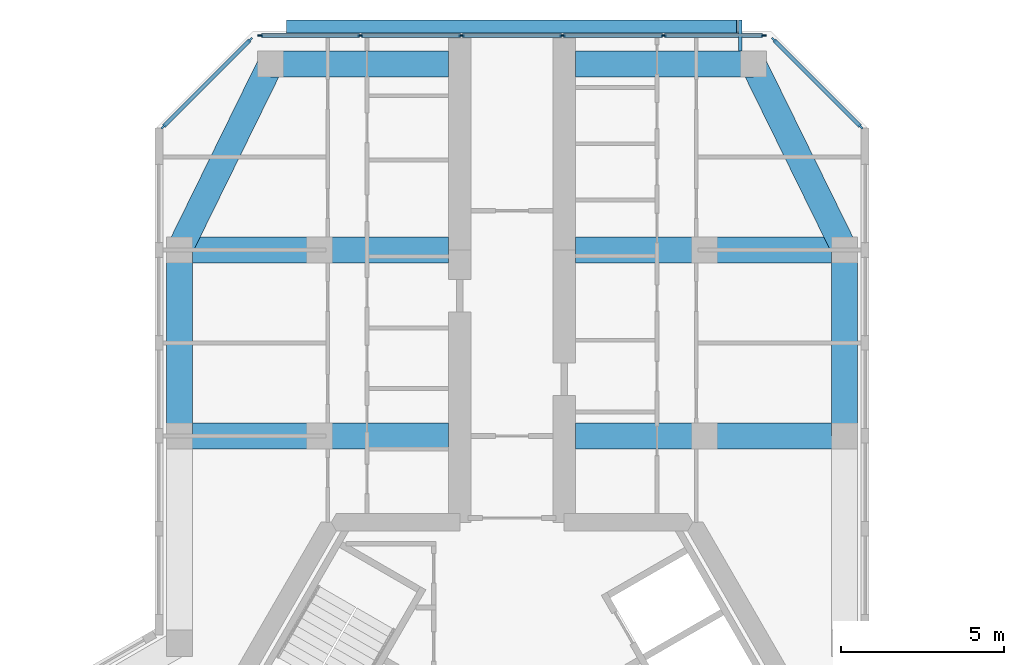
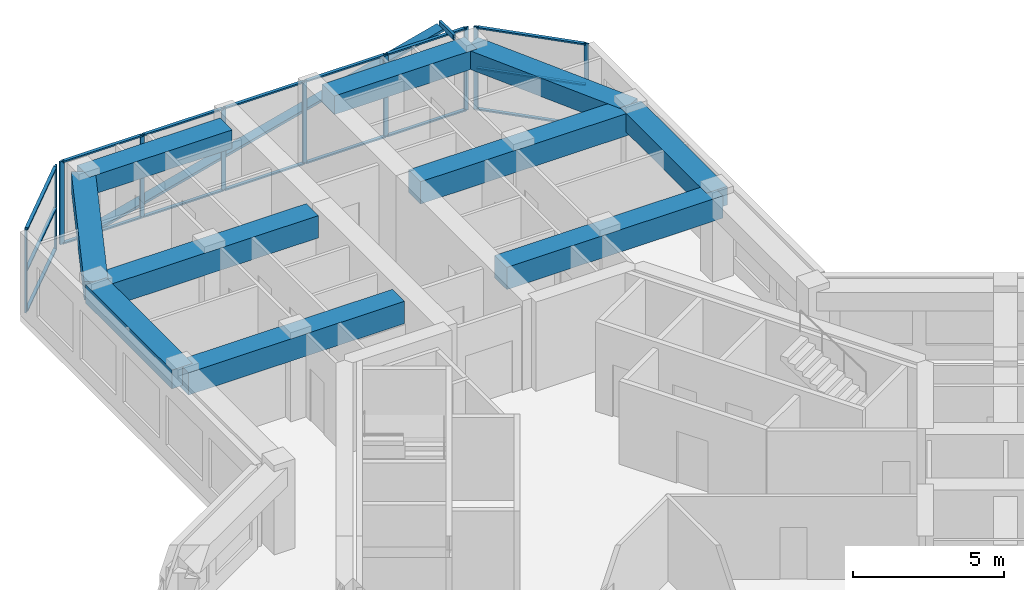
# One storey, part 5 of 14: 28 members, 10 beams, 3 elements without a shape of their own.
"""IFC4 building model written with IfcOpenShell, lengths in metres."""

from ifc_helpers import new_model, si_unit, direction, frame, origin, origin_2d, place, context, subcontext, project, spatial, rectangle, hollow_rectangle, extrude, material, material_profile, profile_set, type_object, element, aggregate, save


model = new_model("IFC4")

# Units and contexts
model_context = context("Model", 3, precision=1e-05, world=origin(), true_north=direction((0.0, 1.0)))
body_context = subcontext(model_context, "Body", "Model", "MODEL_VIEW")
ifc_project = project(units=[si_unit("LENGTHUNIT", "METRE"), si_unit("AREAUNIT", "SQUARE_METRE"), si_unit("VOLUMEUNIT", "CUBIC_METRE"), si_unit("PLANEANGLEUNIT", "RADIAN"), si_unit("MASSUNIT", "GRAM", prefix="KILO")], contexts=[model_context])

# Site, building, storey
site_placement = place(None, origin())
site = spatial("IfcSite", under=ifc_project, at=site_placement, CompositionType="ELEMENT")
building_placement = place(site_placement, origin())
building = spatial("IfcBuilding", under=site, at=building_placement, Name="Kosmar Iwan School Tower", CompositionType="ELEMENT")
storey_placement = place(building_placement, frame((0.0, 0.0, 267.39990234375)))
storey = spatial("IfcBuildingStorey", under=building, at=storey_placement, Name="L67", CompositionType="ELEMENT", Elevation=267.39990234375)

# Members
ifc_material_1 = material(Name="Black anodised aluminium", Category="aluminium")
ifc_material_profile_1 = material_profile(ifc_material_1, rectangle(XDim=0.10009765625, YDim=0.39990234375, at=origin_2d()), Name="FIN 100x400")
ifc_profile_set_1 = profile_set([ifc_material_profile_1], Name="Black anodised aluminium")
member_type_1 = type_object("IfcMemberType", Name="Diagonal fin 100x400", PredefinedType="USERDEFINED", material=ifc_profile_set_1)
member_1_placement = place(storey_placement, frame((-6.898193359375, 24.800048828125, -0.14990234375), z_axis=(0.967599450335, 0.0, 0.252490205179), x_axis=(-0.252490205179, 0.0, 0.967599450335)))
element("IfcMember", 1, at=member_1_placement, inside=storey, type_object=member_type_1, Name="Diagonal fin L67-F08", ObjectType="FIN", PredefinedType="USERDEFINED", context=body_context, shape_type="SweptSolid", body=[
    extrude(rectangle(XDim=0.10009765625, YDim=0.39990234375, at=origin_2d()), origin(), (0.0, 0.0, 1.0), 14.25830078125),
])
ifc_material_2 = material(Name="Steel S355", Category="steel")
ifc_material_profile_2 = material_profile(ifc_material_2, hollow_rectangle(XDim=0.10009765625, YDim=0.199951171875, WallThickness=0.008056640625, at=origin_2d()), Name="RHS 200x100x8")
ifc_profile_set_2 = profile_set([ifc_material_profile_2], Name="Steel S355")
member_type_2 = type_object("IfcMemberType", Name="Fin bracket RHS 200x100", PredefinedType="USERDEFINED", material=ifc_profile_set_2)
member_2_placement = place(storey_placement, frame((7.0, 24.050048828125, 3.47509765625), z_axis=(0.0, 1.0, 0.0), x_axis=(-1.0, 0.0, 0.0)))
element("IfcMember", 2, at=member_2_placement, inside=storey, type_object=member_type_2, Name="Fin bracket L68", ObjectType="FIN BRACKET", PredefinedType="USERDEFINED", context=body_context, shape_type="SweptSolid", body=[
    extrude(hollow_rectangle(XDim=0.10009765625, YDim=0.199951171875, WallThickness=0.008056640625, at=origin_2d()), origin(), (0.0, 0.0, 1.0), 0.949951171875),
])

# Curtain wall, members
ifc_material_3 = material(Name="Dark glass in black aluminium frame", Category="aluminium")
curtain_wall_type_1 = type_object("IfcCurtainWallType", Name="Chamfer curtain wall dark glass", PredefinedType="USERDEFINED", material=ifc_material_3)
curtain_wall_1_placement = place(storey_placement, origin())
curtain_wall_1 = element("IfcCurtainWall", 3, at=curtain_wall_1_placement, inside=storey, type_object=curtain_wall_type_1, Name="Curtain wall L67-F07", ObjectType="FACETED CURTAIN WALL", PredefinedType="USERDEFINED")
ifc_material_4 = material(Name="Black anodised aluminium", Category="aluminium")
ifc_material_profile_3 = material_profile(ifc_material_4, rectangle(XDim=0.06005859375, YDim=0.159912109375, at=origin_2d()), Name="MULLION 60x160")
ifc_profile_set_3 = profile_set([ifc_material_profile_3], Name="Black anodised aluminium")
member_type_3 = type_object("IfcMemberType", Name="Mullion 60x160", PredefinedType="MULLION", material=ifc_profile_set_3)
member_3_placement = place(storey_placement, frame((10.69775390625, 21.7255859375, 0.0), z_axis=(0.0, 0.0, 1.0), x_axis=(-0.707106781187, -0.707106781187, 0.0)))
member_3 = element("IfcMember", 4, at=member_3_placement, type_object=member_type_3, Name="CW2 mullion 1", PredefinedType="MULLION", context=body_context, shape_type="SweptSolid", body=[
    extrude(rectangle(XDim=0.06005859375, YDim=0.159912109375, at=origin_2d()), origin(), (0.0, 0.0, 1.0), 3.35009765625),
])
member_4_placement = place(storey_placement, frame((8.025390625, 24.397705078125, 0.0), z_axis=(0.0, 0.0, 1.0), x_axis=(-0.707106781187, -0.707106781187, 0.0)))
member_4 = element("IfcMember", 5, at=member_4_placement, type_object=member_type_3, Name="CW2 mullion 2", PredefinedType="MULLION", context=body_context, shape_type="SweptSolid", body=[
    extrude(rectangle(XDim=0.06005859375, YDim=0.159912109375, at=origin_2d()), origin(), (0.0, 0.0, 1.0), 3.35009765625),
])

ifc_material_5 = material(Name="Dark glass in black aluminium frame", Category="aluminium")
curtain_wall_type_2 = type_object("IfcCurtainWallType", Name="Tower curtain wall dark glass", PredefinedType="USERDEFINED", material=ifc_material_5)
curtain_wall_2_placement = place(storey_placement, origin())
curtain_wall_2 = element("IfcCurtainWall", 6, at=curtain_wall_2_placement, inside=storey, type_object=curtain_wall_type_2, Name="Curtain wall L67-F08", ObjectType="UNITISED CURTAIN WALL", PredefinedType="USERDEFINED")
member_5_placement = place(storey_placement, frame((7.71826171875, 24.52490234375, 0.0), z_axis=(0.0, 0.0, 1.0), x_axis=(0.0, -1.0, 0.0)))
member_5 = element("IfcMember", 7, at=member_5_placement, type_object=member_type_3, Name="CW1 mullion 1", PredefinedType="MULLION", context=body_context, shape_type="SweptSolid", body=[
    extrude(rectangle(XDim=0.06005859375, YDim=0.159912109375, at=origin_2d()), origin(), (0.0, 0.0, 1.0), 3.35009765625),
])
member_6_placement = place(storey_placement, frame((4.64892578125, 24.52490234375, 0.0), z_axis=(0.0, 0.0, 1.0), x_axis=(0.0, -1.0, 0.0)))
member_6 = element("IfcMember", 8, at=member_6_placement, type_object=member_type_3, Name="CW1 mullion 2", PredefinedType="MULLION", context=body_context, shape_type="SweptSolid", body=[
    extrude(rectangle(XDim=0.06005859375, YDim=0.159912109375, at=origin_2d()), origin(), (0.0, 0.0, 1.0), 3.35009765625),
])
member_7_placement = place(storey_placement, frame((1.549560546875, 24.52490234375, 0.0), z_axis=(0.0, 0.0, 1.0), x_axis=(0.0, -1.0, 0.0)))
member_7 = element("IfcMember", 9, at=member_7_placement, type_object=member_type_3, Name="CW1 mullion 3", PredefinedType="MULLION", context=body_context, shape_type="SweptSolid", body=[
    extrude(rectangle(XDim=0.06005859375, YDim=0.159912109375, at=origin_2d()), origin(), (0.0, 0.0, 1.0), 3.35009765625),
])
member_8_placement = place(storey_placement, frame((-1.549560546875, 24.52490234375, 0.0), z_axis=(0.0, 0.0, 1.0), x_axis=(0.0, -1.0, 0.0)))
member_8 = element("IfcMember", 10, at=member_8_placement, type_object=member_type_3, Name="CW1 mullion 4", PredefinedType="MULLION", context=body_context, shape_type="SweptSolid", body=[
    extrude(rectangle(XDim=0.06005859375, YDim=0.159912109375, at=origin_2d()), origin(), (0.0, 0.0, 1.0), 3.35009765625),
])
member_9_placement = place(storey_placement, frame((-4.64892578125, 24.52490234375, 0.0), z_axis=(0.0, 0.0, 1.0), x_axis=(0.0, -1.0, 0.0)))
member_9 = element("IfcMember", 11, at=member_9_placement, type_object=member_type_3, Name="CW1 mullion 5", PredefinedType="MULLION", context=body_context, shape_type="SweptSolid", body=[
    extrude(rectangle(XDim=0.06005859375, YDim=0.159912109375, at=origin_2d()), origin(), (0.0, 0.0, 1.0), 3.35009765625),
])
member_10_placement = place(storey_placement, frame((-7.71826171875, 24.52490234375, 0.0), z_axis=(0.0, 0.0, 1.0), x_axis=(0.0, -1.0, 0.0)))
member_10 = element("IfcMember", 12, at=member_10_placement, type_object=member_type_3, Name="CW1 mullion 6", PredefinedType="MULLION", context=body_context, shape_type="SweptSolid", body=[
    extrude(rectangle(XDim=0.06005859375, YDim=0.159912109375, at=origin_2d()), origin(), (0.0, 0.0, 1.0), 3.35009765625),
])

curtain_wall_3_placement = place(storey_placement, origin())
curtain_wall_3 = element("IfcCurtainWall", 13, at=curtain_wall_3_placement, inside=storey, type_object=curtain_wall_type_1, Name="Curtain wall L67-F09", ObjectType="FACETED CURTAIN WALL", PredefinedType="USERDEFINED")
member_11_placement = place(storey_placement, frame((-8.025390625, 24.397705078125, 0.0), z_axis=(0.0, 0.0, 1.0), x_axis=(0.707106781187, -0.707106781187, 0.0)))
member_11 = element("IfcMember", 14, at=member_11_placement, type_object=member_type_3, Name="CW2 mullion 1", PredefinedType="MULLION", context=body_context, shape_type="SweptSolid", body=[
    extrude(rectangle(XDim=0.06005859375, YDim=0.159912109375, at=origin_2d()), origin(), (0.0, 0.0, 1.0), 3.35009765625),
])
member_12_placement = place(storey_placement, frame((-10.69775390625, 21.7255859375, 0.0), z_axis=(0.0, 0.0, 1.0), x_axis=(0.707106781187, -0.707106781187, 0.0)))
member_12 = element("IfcMember", 15, at=member_12_placement, type_object=member_type_3, Name="CW2 mullion 2", PredefinedType="MULLION", context=body_context, shape_type="SweptSolid", body=[
    extrude(rectangle(XDim=0.06005859375, YDim=0.159912109375, at=origin_2d()), origin(), (0.0, 0.0, 1.0), 3.35009765625),
])

# Beams
ifc_material_6 = material(Name="Concrete C50/60", Category="concrete")
ifc_material_profile_4 = material_profile(ifc_material_6, rectangle(XDim=0.800048828125, YDim=0.75, at=origin_2d()), Name="RC 800x750")
ifc_profile_set_4 = profile_set([ifc_material_profile_4], Name="Concrete C50/60")
beam_type_1 = type_object("IfcBeamType", Name="RC edge beam 800x750", PredefinedType="BEAM", material=ifc_profile_set_4)
for number, where, z_axis, x_axis, name in (
    (16, (-10.199951171875, 12.25, 2.97509765625), (0.0, 1.0, 0.0), (-1.0, 0.0, 0.0), "Edge beam AL2"),
    (17, (10.199951171875, 12.25, 2.97509765625), (0.0, 1.0, 0.0), (-1.0, 0.0, 0.0), "Edge beam AR2"),
):
    element("IfcBeam", number, at=place(storey_placement, frame(where, z_axis=z_axis, x_axis=x_axis)), inside=storey, type_object=beam_type_1, Name=name, PredefinedType="BEAM", context=body_context, shape_type="SweptSolid", body=[
        extrude(rectangle(XDim=0.800048828125, YDim=0.75, at=origin_2d()), origin(), (0.0, 0.0, 1.0), 5.699951171875),
    ])
ifc_material_7 = material(Name="Concrete C50/60", Category="concrete")
ifc_material_profile_5 = material_profile(ifc_material_7, rectangle(XDim=0.800048828125, YDim=0.75, at=origin_2d()), Name="RC 800x750")
ifc_profile_set_5 = profile_set([ifc_material_profile_5], Name="Concrete C50/60")
beam_type_2 = type_object("IfcBeamType", Name="RC tip beam 800x750", PredefinedType="BEAM", material=ifc_profile_set_5)
beam_1_placement = place(storey_placement, frame((-10.199951171875, 17.949951171875, 2.97509765625), z_axis=(0.440913116462, 0.897549788999, 0.0), x_axis=(-0.897549788999, 0.440913116462, 0.0)))
element("IfcBeam", 18, at=beam_1_placement, inside=storey, type_object=beam_type_2, Name="Tip beam AL", PredefinedType="BEAM", context=body_context, shape_type="SweptSolid", body=[
    extrude(rectangle(XDim=0.800048828125, YDim=0.75, at=origin_2d()), origin(), (0.0, 0.0, 1.0), 6.3505859375),
])
beam_2_placement = place(storey_placement, frame((-7.39990234375, 23.64990234375, 2.97509765625), z_axis=(1.0, 0.0, 0.0), x_axis=(0.0, 1.0, 0.0)))
element("IfcBeam", 19, at=beam_2_placement, inside=storey, type_object=beam_type_2, Name="Tip beam AL to corridor wall", PredefinedType="BEAM", context=body_context, shape_type="SweptSolid", body=[
    extrude(rectangle(XDim=0.800048828125, YDim=0.75, at=origin_2d()), origin(), (0.0, 0.0, 1.0), 5.449951171875),
])
beam_3_placement = place(storey_placement, frame((10.199951171875, 17.949951171875, 2.97509765625), z_axis=(-0.440913116462, 0.897549788999, 0.0), x_axis=(-0.897549788999, -0.440913116462, 0.0)))
element("IfcBeam", 20, at=beam_3_placement, inside=storey, type_object=beam_type_2, Name="Tip beam AR", PredefinedType="BEAM", context=body_context, shape_type="SweptSolid", body=[
    extrude(rectangle(XDim=0.800048828125, YDim=0.75, at=origin_2d()), origin(), (0.0, 0.0, 1.0), 6.3505859375),
])
beam_4_placement = place(storey_placement, frame((7.39990234375, 23.64990234375, 2.97509765625), z_axis=(-1.0, 0.0, 0.0), x_axis=(0.0, -1.0, 0.0)))
element("IfcBeam", 21, at=beam_4_placement, inside=storey, type_object=beam_type_2, Name="Tip beam AR to corridor wall", PredefinedType="BEAM", context=body_context, shape_type="SweptSolid", body=[
    extrude(rectangle(XDim=0.800048828125, YDim=0.75, at=origin_2d()), origin(), (0.0, 0.0, 1.0), 5.449951171875),
])
ifc_material_8 = material(Name="Concrete C50/60", Category="concrete")
ifc_material_profile_6 = material_profile(ifc_material_8, rectangle(XDim=0.800048828125, YDim=0.89990234375, at=origin_2d()), Name="RC 800x900")
ifc_profile_set_6 = profile_set([ifc_material_profile_6], Name="Concrete C50/60")
beam_type_3 = type_object("IfcBeamType", Name="RC transverse beam 800x900", PredefinedType="BEAM", material=ifc_profile_set_6)
for number, where, z_axis, x_axis, name in (
    (22, (-10.199951171875, 12.25, 2.900146484375), (1.0, 0.0, 0.0), (0.0, 1.0, 0.0), "Transverse beam AL1"),
    (23, (-10.199951171875, 17.949951171875, 2.900146484375), (1.0, 0.0, 0.0), (0.0, 1.0, 0.0), "Transverse beam AL2"),
    (24, (10.199951171875, 12.25, 2.900146484375), (-1.0, 0.0, 0.0), (0.0, -1.0, 0.0), "Transverse beam AR1"),
    (25, (10.199951171875, 17.949951171875, 2.900146484375), (-1.0, 0.0, 0.0), (0.0, -1.0, 0.0), "Transverse beam AR2"),
):
    element("IfcBeam", number, at=place(storey_placement, frame(where, z_axis=z_axis, x_axis=x_axis)), inside=storey, type_object=beam_type_3, Name=name, PredefinedType="BEAM", context=body_context, shape_type="SweptSolid", body=[
        extrude(rectangle(XDim=0.800048828125, YDim=0.89990234375, at=origin_2d()), origin(), (0.0, 0.0, 1.0), 8.25),
    ])

# Member
ifc_material_9 = material(Name="Black anodised aluminium", Category="aluminium")
ifc_material_profile_7 = material_profile(ifc_material_9, rectangle(XDim=0.1201171875, YDim=0.06005859375, at=origin_2d()), Name="TRANSOM 60x120")
ifc_profile_set_7 = profile_set([ifc_material_profile_7], Name="Black anodised aluminium")
member_type_4 = type_object("IfcMemberType", Name="Transom 60x120", PredefinedType="USERDEFINED", material=ifc_profile_set_7)
member_13_placement = place(storey_placement, frame((10.676513671875, 21.746826171875, 0.030029296875), z_axis=(-0.707139603466, 0.707073957383, 0.0), x_axis=(-0.707073957383, -0.707139603466, 0.0)))
member_13 = element("IfcMember", 26, at=member_13_placement, type_object=member_type_4, Name="CW2 transom 1.1", ObjectType="TRANSOM", PredefinedType="USERDEFINED", context=body_context, shape_type="SweptSolid", body=[
    extrude(rectangle(XDim=0.1201171875, YDim=0.06005859375, at=origin_2d()), origin(), (0.0, 0.0, 1.0), 3.718994140625),
])

member_14_placement = place(storey_placement, frame((10.676513671875, 21.746826171875, 1.675048828125), z_axis=(-0.707139603466, 0.707073957383, 0.0), x_axis=(-0.707073957383, -0.707139603466, 0.0)))
member_14 = element("IfcMember", 27, at=member_14_placement, type_object=member_type_4, Name="CW2 transom 1.2", ObjectType="TRANSOM", PredefinedType="USERDEFINED", context=body_context, shape_type="SweptSolid", body=[
    extrude(rectangle(XDim=0.1201171875, YDim=0.06005859375, at=origin_2d()), origin(), (0.0, 0.0, 1.0), 3.718994140625),
])

member_15_placement = place(storey_placement, frame((10.676513671875, 21.746826171875, 3.320068359375), z_axis=(-0.707139603466, 0.707073957383, 0.0), x_axis=(-0.707073957383, -0.707139603466, 0.0)))
member_15 = element("IfcMember", 28, at=member_15_placement, type_object=member_type_4, Name="CW2 transom 1.3", ObjectType="TRANSOM", PredefinedType="USERDEFINED", context=body_context, shape_type="SweptSolid", body=[
    extrude(rectangle(XDim=0.1201171875, YDim=0.06005859375, at=origin_2d()), origin(), (0.0, 0.0, 1.0), 3.718994140625),
])

aggregate(curtain_wall_1, [member_3, member_4, member_13, member_14, member_15])

member_16_placement = place(storey_placement, frame((7.688232421875, 24.52490234375, 0.030029296875), z_axis=(-1.0, 0.0, 0.0), x_axis=(0.0, -1.0, 0.0)))
member_16 = element("IfcMember", 29, at=member_16_placement, type_object=member_type_4, Name="CW1 transom 1.1", ObjectType="TRANSOM", PredefinedType="USERDEFINED", context=body_context, shape_type="SweptSolid", body=[
    extrude(rectangle(XDim=0.1201171875, YDim=0.06005859375, at=origin_2d()), origin(), (0.0, 0.0, 1.0), 3.00927734375),
])

member_17_placement = place(storey_placement, frame((7.688232421875, 24.52490234375, 3.320068359375), z_axis=(-1.0, 0.0, 0.0), x_axis=(0.0, -1.0, 0.0)))
member_17 = element("IfcMember", 30, at=member_17_placement, type_object=member_type_4, Name="CW1 transom 1.2", ObjectType="TRANSOM", PredefinedType="USERDEFINED", context=body_context, shape_type="SweptSolid", body=[
    extrude(rectangle(XDim=0.1201171875, YDim=0.06005859375, at=origin_2d()), origin(), (0.0, 0.0, 1.0), 3.00927734375),
])

member_18_placement = place(storey_placement, frame((4.618896484375, 24.52490234375, 0.030029296875), z_axis=(-1.0, 0.0, 0.0), x_axis=(0.0, -1.0, 0.0)))
member_18 = element("IfcMember", 31, at=member_18_placement, type_object=member_type_4, Name="CW1 transom 2.1", ObjectType="TRANSOM", PredefinedType="USERDEFINED", context=body_context, shape_type="SweptSolid", body=[
    extrude(rectangle(XDim=0.1201171875, YDim=0.06005859375, at=origin_2d()), origin(), (0.0, 0.0, 1.0), 3.039306640625),
])

member_19_placement = place(storey_placement, frame((4.618896484375, 24.52490234375, 3.320068359375), z_axis=(-1.0, 0.0, 0.0), x_axis=(0.0, -1.0, 0.0)))
member_19 = element("IfcMember", 32, at=member_19_placement, type_object=member_type_4, Name="CW1 transom 2.2", ObjectType="TRANSOM", PredefinedType="USERDEFINED", context=body_context, shape_type="SweptSolid", body=[
    extrude(rectangle(XDim=0.1201171875, YDim=0.06005859375, at=origin_2d()), origin(), (0.0, 0.0, 1.0), 3.039306640625),
])

member_20_placement = place(storey_placement, frame((1.51953125, 24.52490234375, 0.030029296875), z_axis=(-1.0, 0.0, 0.0), x_axis=(0.0, -1.0, 0.0)))
member_20 = element("IfcMember", 33, at=member_20_placement, type_object=member_type_4, Name="CW1 transom 3.1", ObjectType="TRANSOM", PredefinedType="USERDEFINED", context=body_context, shape_type="SweptSolid", body=[
    extrude(rectangle(XDim=0.1201171875, YDim=0.06005859375, at=origin_2d()), origin(), (0.0, 0.0, 1.0), 3.0390625),
])

member_21_placement = place(storey_placement, frame((1.51953125, 24.52490234375, 3.320068359375), z_axis=(-1.0, 0.0, 0.0), x_axis=(0.0, -1.0, 0.0)))
member_21 = element("IfcMember", 34, at=member_21_placement, type_object=member_type_4, Name="CW1 transom 3.2", ObjectType="TRANSOM", PredefinedType="USERDEFINED", context=body_context, shape_type="SweptSolid", body=[
    extrude(rectangle(XDim=0.1201171875, YDim=0.06005859375, at=origin_2d()), origin(), (0.0, 0.0, 1.0), 3.0390625),
])

member_22_placement = place(storey_placement, frame((-1.57958984375, 24.52490234375, 0.030029296875), z_axis=(-1.0, 0.0, 0.0), x_axis=(0.0, -1.0, 0.0)))
member_22 = element("IfcMember", 35, at=member_22_placement, type_object=member_type_4, Name="CW1 transom 4.1", ObjectType="TRANSOM", PredefinedType="USERDEFINED", context=body_context, shape_type="SweptSolid", body=[
    extrude(rectangle(XDim=0.1201171875, YDim=0.06005859375, at=origin_2d()), origin(), (0.0, 0.0, 1.0), 3.039306640625),
])

member_23_placement = place(storey_placement, frame((-1.57958984375, 24.52490234375, 3.320068359375), z_axis=(-1.0, 0.0, 0.0), x_axis=(0.0, -1.0, 0.0)))
member_23 = element("IfcMember", 36, at=member_23_placement, type_object=member_type_4, Name="CW1 transom 4.2", ObjectType="TRANSOM", PredefinedType="USERDEFINED", context=body_context, shape_type="SweptSolid", body=[
    extrude(rectangle(XDim=0.1201171875, YDim=0.06005859375, at=origin_2d()), origin(), (0.0, 0.0, 1.0), 3.039306640625),
])

member_24_placement = place(storey_placement, frame((-4.678955078125, 24.52490234375, 0.030029296875), z_axis=(-1.0, 0.0, 0.0), x_axis=(0.0, -1.0, 0.0)))
member_24 = element("IfcMember", 37, at=member_24_placement, type_object=member_type_4, Name="CW1 transom 5.1", ObjectType="TRANSOM", PredefinedType="USERDEFINED", context=body_context, shape_type="SweptSolid", body=[
    extrude(rectangle(XDim=0.1201171875, YDim=0.06005859375, at=origin_2d()), origin(), (0.0, 0.0, 1.0), 3.00927734375),
])

member_25_placement = place(storey_placement, frame((-4.678955078125, 24.52490234375, 3.320068359375), z_axis=(-1.0, 0.0, 0.0), x_axis=(0.0, -1.0, 0.0)))
member_25 = element("IfcMember", 38, at=member_25_placement, type_object=member_type_4, Name="CW1 transom 5.2", ObjectType="TRANSOM", PredefinedType="USERDEFINED", context=body_context, shape_type="SweptSolid", body=[
    extrude(rectangle(XDim=0.1201171875, YDim=0.06005859375, at=origin_2d()), origin(), (0.0, 0.0, 1.0), 3.00927734375),
])

aggregate(curtain_wall_2, [member_5, member_6, member_7, member_8, member_9, member_10, member_16, member_17, member_18, member_19, member_20, member_21, member_22, member_23, member_24, member_25])

member_26_placement = place(storey_placement, frame((-8.046630859375, 24.37646484375, 0.030029296875), z_axis=(-0.707139603466, -0.707073957383, 0.0), x_axis=(0.707073957383, -0.707139603466, 0.0)))
member_26 = element("IfcMember", 39, at=member_26_placement, type_object=member_type_4, Name="CW2 transom 1.1", ObjectType="TRANSOM", PredefinedType="USERDEFINED", context=body_context, shape_type="SweptSolid", body=[
    extrude(rectangle(XDim=0.1201171875, YDim=0.06005859375, at=origin_2d()), origin(), (0.0, 0.0, 1.0), 3.718994140625),
])

member_27_placement = place(storey_placement, frame((-8.046630859375, 24.37646484375, 1.675048828125), z_axis=(-0.707139603466, -0.707073957383, 0.0), x_axis=(0.707073957383, -0.707139603466, 0.0)))
member_27 = element("IfcMember", 40, at=member_27_placement, type_object=member_type_4, Name="CW2 transom 1.2", ObjectType="TRANSOM", PredefinedType="USERDEFINED", context=body_context, shape_type="SweptSolid", body=[
    extrude(rectangle(XDim=0.1201171875, YDim=0.06005859375, at=origin_2d()), origin(), (0.0, 0.0, 1.0), 3.718994140625),
])

member_28_placement = place(storey_placement, frame((-8.046630859375, 24.37646484375, 3.320068359375), z_axis=(-0.707139603466, -0.707073957383, 0.0), x_axis=(0.707073957383, -0.707139603466, 0.0)))
member_28 = element("IfcMember", 41, at=member_28_placement, type_object=member_type_4, Name="CW2 transom 1.3", ObjectType="TRANSOM", PredefinedType="USERDEFINED", context=body_context, shape_type="SweptSolid", body=[
    extrude(rectangle(XDim=0.1201171875, YDim=0.06005859375, at=origin_2d()), origin(), (0.0, 0.0, 1.0), 3.718994140625),
])

aggregate(curtain_wall_3, [member_11, member_12, member_26, member_27, member_28])

save(model, "model.ifc")
